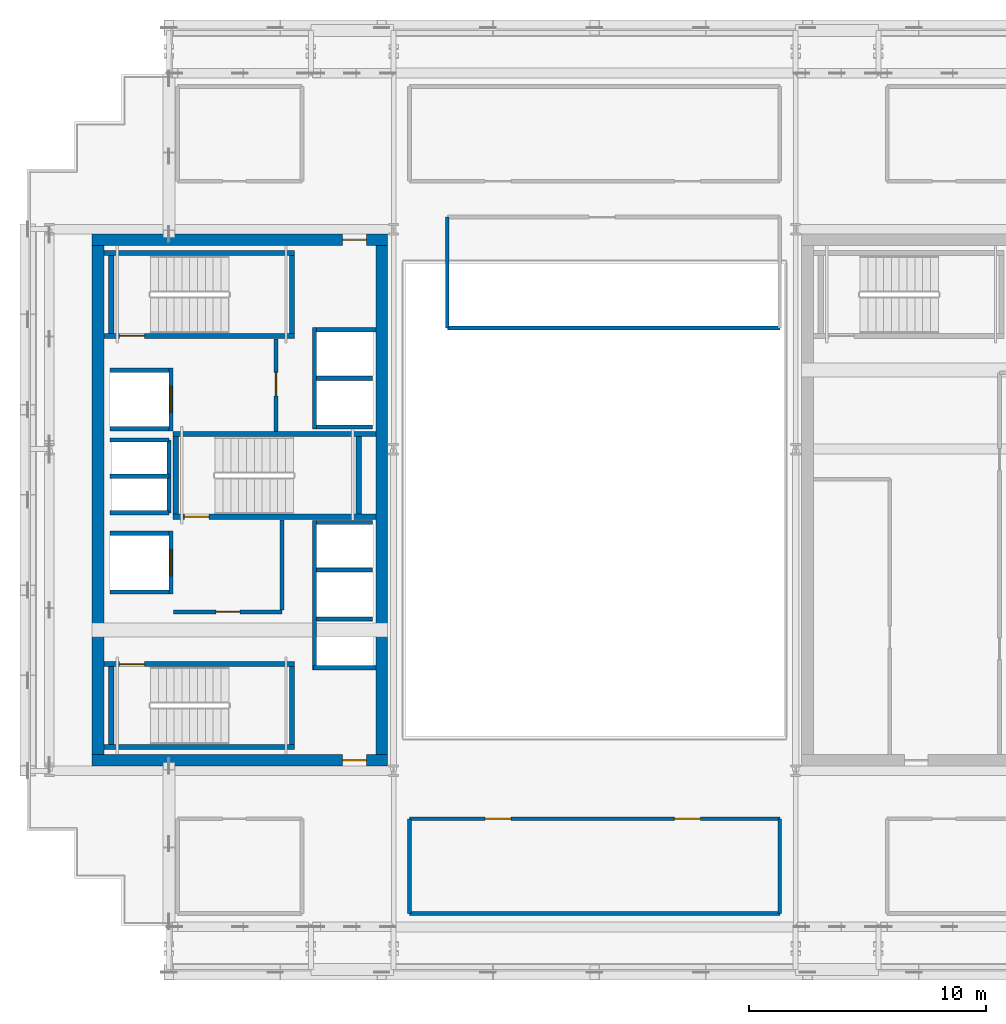
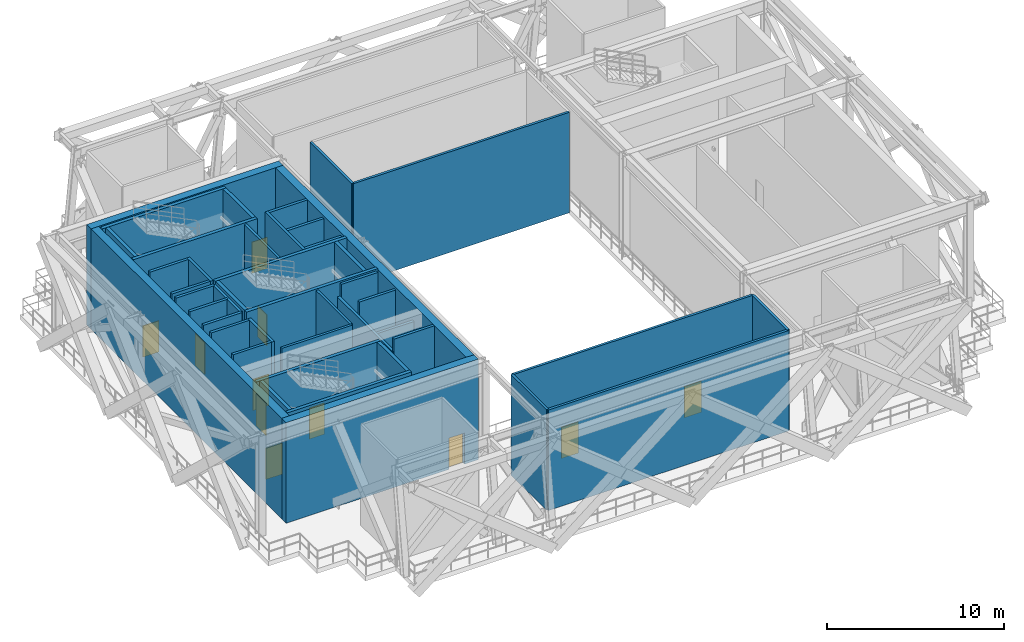
# One storey, part 6 of 13: 44 walls, 11 doors, 11 openings.
"""IFC4 building model written with IfcOpenShell, lengths in metres."""

from ifc_helpers import new_model, si_unit, direction, frame, frame_2d, origin, place, context, subcontext, project, spatial, rectangle, extrude, source, transform, mapped, material, layer, layer_set, type_object, element, fill, save


model = new_model("IFC4")

# Units and contexts
model_context = context("Model", 3, precision=1e-05, world=origin(), true_north=direction((0.0, 1.0)))
body_context = subcontext(model_context, "Body", "Model", "MODEL_VIEW")
ifc_project = project(units=[si_unit("LENGTHUNIT", "METRE"), si_unit("AREAUNIT", "SQUARE_METRE"), si_unit("VOLUMEUNIT", "CUBIC_METRE"), si_unit("PLANEANGLEUNIT", "RADIAN"), si_unit("MASSUNIT", "GRAM", prefix="KILO")], contexts=[model_context])

# Site, building, storey
site_placement = place(None, origin())
site = spatial("IfcSite", under=ifc_project, at=site_placement, CompositionType="ELEMENT")
building_placement = place(site_placement, origin())
building = spatial("IfcBuilding", under=site, at=building_placement, Name="Ocotamira Hotel", CompositionType="ELEMENT")
storey_placement = place(building_placement, frame((0.0, 0.0, 220.800048828125)))
storey = spatial("IfcBuildingStorey", under=building, at=storey_placement, Name="L56", CompositionType="ELEMENT", Elevation=220.800048828125)

# Wall, opening, door
ifc_material_1 = material(Name="Concrete C50/60", Category="concrete")
ifc_layer_1 = layer(ifc_material_1, 0.5)
ifc_layer_set_1 = layer_set([ifc_layer_1], Name="Concrete C50/60")
wall_type_1 = type_object("IfcWallType", Name="WL-CORE-500", PredefinedType="SHEAR", material=ifc_layer_set_1)
wall_1_placement = place(storey_placement, frame((10.75, 15.0, 0.0), z_axis=(0.0, 0.0, 1.0), x_axis=(1.0, 0.0, 0.0)))
wall_1 = element("IfcWall", 1, at=wall_1_placement, inside=storey, type_object=wall_type_1, Name="L56 Shear Core Wall WCORE-S", PredefinedType="SHEAR", context=body_context, shape_type="SweptSolid", body=[
    extrude(rectangle(XDim=12.5, YDim=0.5, at=frame_2d((6.25, 0.0))), origin(), (0.0, 0.0, 1.0), 6.919921875),
])
opening_1_placement = place(wall_1_placement, frame((10.60009765625, 0.0, 0.0)))
opening_1 = element("IfcOpeningElement", 2, at=opening_1_placement, cuts=wall_1, Name="Opening D-FR2", PredefinedType="OPENING", context=body_context, shape_type="SweptSolid", body=[
    extrude(rectangle(XDim=1.0, YDim=2.14990234375, at=frame_2d((0.5, 1.074951171875))), frame((0.0, 0.260009765625, 0.0), z_axis=(0.0, -1.0, 0.0), x_axis=(1.0, 0.0, 0.0)), (0.0, 0.0, 1.0), 0.52001953125),
])
ifc_material_2 = material(Name="Fire-rated acoustic timber-veneer door", Category="wood")
door_type_1 = type_object("IfcDoorType", Name="DR-FIRE-1000", OperationType="NOTDEFINED", PredefinedType="DOOR", material=ifc_material_2)
shared_shape_1 = source(origin(), body_context, "Body", "SweptSolid", [
    extrude(rectangle(XDim=1.0, YDim=2.14990234375, at=frame_2d((0.5, 1.074951171875))), frame((0.0, 0.02490234375, 0.0), z_axis=(0.0, -1.0, 0.0), x_axis=(1.0, 0.0, 0.0)), (0.0, 0.0, 1.0), 0.050048828125),
])
door_1_placement = place(opening_1_placement, origin())
door_1 = element("IfcDoor", 3, at=door_1_placement, inside=storey, type_object=door_type_1, Name="L56 Door ID-L56-WLOB-S-D [ID-L56-WLOB-S-D]", OperationType="SINGLE_SWING_LEFT", OverallHeight=2.14990234375, OverallWidth=1.0, PredefinedType="DOOR", context=body_context, shape_type="MappedRepresentation", body=[
    mapped(shared_shape_1, transform((0.0, 0.0, 0.0), scale=1.0)),
])
fill(opening_1, door_1)

wall_2_placement = place(storey_placement, frame((10.75, 37.0, 0.0), z_axis=(0.0, 0.0, 1.0), x_axis=(1.0, 0.0, 0.0)))
wall_2 = element("IfcWall", 4, at=wall_2_placement, inside=storey, type_object=wall_type_1, Name="L56 Shear Core Wall WCORE-N", PredefinedType="SHEAR", context=body_context, shape_type="SweptSolid", body=[
    extrude(rectangle(XDim=12.5, YDim=0.5, at=frame_2d((6.25, 0.0))), origin(), (0.0, 0.0, 1.0), 6.919921875),
])
opening_2_placement = place(wall_2_placement, frame((10.60009765625, 0.0, 0.0)))
opening_2 = element("IfcOpeningElement", 5, at=opening_2_placement, cuts=wall_2, Name="Opening D-FR2", PredefinedType="OPENING", context=body_context, shape_type="SweptSolid", body=[
    extrude(rectangle(XDim=1.0, YDim=2.14990234375, at=frame_2d((0.5, 1.074951171875))), frame((0.0, 0.260009765625, 0.0), z_axis=(0.0, -1.0, 0.0), x_axis=(1.0, 0.0, 0.0)), (0.0, 0.0, 1.0), 0.52001953125),
])
door_2_placement = place(opening_2_placement, origin())
door_2 = element("IfcDoor", 6, at=door_2_placement, inside=storey, type_object=door_type_1, Name="L56 Door ID-L56-WLOB-N-D [ID-L56-WLOB-N-D]", OperationType="SINGLE_SWING_RIGHT", OverallHeight=2.14990234375, OverallWidth=1.0, PredefinedType="DOOR", context=body_context, shape_type="MappedRepresentation", body=[
    mapped(shared_shape_1, transform((0.0, 0.0, 0.0), scale=1.0)),
])
fill(opening_2, door_2)

# Walls
for number, where, z_axis, x_axis, name in (
    (7, (11.0, 15.25, 0.0), (0.0, 0.0, 1.0), (0.0, 1.0, 0.0), "L56 Shear Core Wall WCORE-W"),
    (8, (23.0, 15.25, 0.0), (0.0, 0.0, 1.0), (0.0, 1.0, 0.0), "L56 Shear Core Wall WCORE-E"),
):
    element("IfcWall", number, at=place(storey_placement, frame(where, z_axis=z_axis, x_axis=x_axis)), inside=storey, type_object=wall_type_1, Name=name, PredefinedType="SHEAR", context=body_context, shape_type="SweptSolid", body=[
        extrude(rectangle(XDim=21.5, YDim=0.5, at=frame_2d((10.75, 0.0))), origin(), (0.0, 0.0, 1.0), 6.919921875),
    ])

# Wall, opening, door
ifc_material_3 = material(Name="Acoustic double-layer fire gypsum board partition", Category="gypsum")
ifc_layer_2 = layer(ifc_material_3, 0.159912109375)
ifc_layer_set_2 = layer_set([ifc_layer_2], Name="Acoustic double-layer fire gypsum board partition")
wall_type_2 = type_object("IfcWallType", Name="WL-FIRE-160", PredefinedType="PARTITIONING", material=ifc_layer_set_2)
wall_3_placement = place(storey_placement, frame((14.199951171875, 21.27001953125, 0.0), z_axis=(0.0, 0.0, 1.0), x_axis=(1.0, 0.0, 0.0)))
wall_3 = element("IfcWall", 9, at=wall_3_placement, inside=storey, type_object=wall_type_2, Name="L56 Interior Wall PW-L56-FSAE1-S", PredefinedType="PARTITIONING", context=body_context, shape_type="SweptSolid", body=[
    extrude(rectangle(XDim=4.580078125, YDim=0.159912109375, at=frame_2d((2.2900390625, 0.0))), origin(), (0.0, 0.0, 1.0), 6.919921875),
])
opening_3_placement = place(wall_3_placement, frame((1.800048828125, 0.0, 0.0)))
opening_3 = element("IfcOpeningElement", 10, at=opening_3_placement, cuts=wall_3, Name="Opening D-FR2", PredefinedType="OPENING", context=body_context, shape_type="SweptSolid", body=[
    extrude(rectangle(XDim=1.0, YDim=2.14990234375, at=frame_2d((0.5, 1.074951171875))), frame((0.0, 0.08984375, 0.0), z_axis=(0.0, -1.0, 0.0), x_axis=(1.0, 0.0, 0.0)), (0.0, 0.0, 1.0), 0.179931640625),
])
door_3_placement = place(opening_3_placement, origin())
door_3 = element("IfcDoor", 11, at=door_3_placement, inside=storey, type_object=door_type_1, Name="L56 Door ID-L56-FSAE1-D [ID-L56-FSAE1-D]", OperationType="SINGLE_SWING_LEFT", OverallHeight=2.14990234375, OverallWidth=1.0, PredefinedType="DOOR", context=body_context, shape_type="MappedRepresentation", body=[
    mapped(shared_shape_1, transform((0.0, 0.0, 0.0), scale=1.0)),
])
fill(opening_3, door_3)

# Wall
wall_4_placement = place(storey_placement, frame((18.780029296875, 21.35009765625, 0.0), z_axis=(0.0, 0.0, 1.0), x_axis=(0.0, 1.0, 0.0)))
element("IfcWall", 12, at=wall_4_placement, inside=storey, type_object=wall_type_2, Name="L56 Interior Wall PW-L56-FSAE1-E", PredefinedType="PARTITIONING", context=body_context, shape_type="SweptSolid", body=[
    extrude(rectangle(XDim=3.809814453125, YDim=0.159912109375, at=frame_2d((1.90478515625, 0.0))), origin(), (0.0, 0.0, 1.0), 6.919921875),
])

# Wall, opening, door
wall_5_placement = place(storey_placement, frame((18.530029296875, 28.89990234375, 0.0), z_axis=(0.0, 0.0, 1.0), x_axis=(0.0, 1.0, 0.0)))
wall_5 = element("IfcWall", 13, at=wall_5_placement, inside=storey, type_object=wall_type_2, Name="L56 Interior Wall PW-L56-FSAE2-E", PredefinedType="PARTITIONING", context=body_context, shape_type="SweptSolid", body=[
    extrude(rectangle(XDim=3.900146484375, YDim=0.159912109375, at=frame_2d((1.9501953125, 0.0))), origin(), (0.0, 0.0, 1.0), 6.919921875),
])
opening_4_placement = place(wall_5_placement, frame((1.5, 0.0, 0.0)))
opening_4 = element("IfcOpeningElement", 14, at=opening_4_placement, cuts=wall_5, Name="Opening D-FR2", PredefinedType="OPENING", context=body_context, shape_type="SweptSolid", body=[
    extrude(rectangle(XDim=1.0, YDim=2.14990234375, at=frame_2d((0.5, 1.074951171875))), frame((0.0, 0.08984375, 0.0), z_axis=(0.0, -1.0, 0.0), x_axis=(1.0, 0.0, 0.0)), (0.0, 0.0, 1.0), 0.179931640625),
])
door_4_placement = place(opening_4_placement, origin())
door_4 = element("IfcDoor", 15, at=door_4_placement, inside=storey, type_object=door_type_1, Name="L56 Door ID-L56-FSAE2-D [ID-L56-FSAE2-D]", OperationType="SINGLE_SWING_RIGHT", OverallHeight=2.14990234375, OverallWidth=1.0, PredefinedType="DOOR", context=body_context, shape_type="MappedRepresentation", body=[
    mapped(shared_shape_1, transform((0.0, 0.0, 0.0), scale=1.0)),
])
fill(opening_4, door_4)

# Wall, openings, doors
wall_6_placement = place(storey_placement, frame((24.169921875, 12.52001953125, 0.0), z_axis=(0.0, 0.0, 1.0), x_axis=(1.0, 0.0, 0.0)))
wall_6 = element("IfcWall", 16, at=wall_6_placement, inside=storey, type_object=wall_type_2, Name="L56 Interior Wall PW-L56-L56-REFE-N", PredefinedType="PARTITIONING", context=body_context, shape_type="SweptSolid", body=[
    extrude(rectangle(XDim=15.66015625, YDim=0.159912109375, at=frame_2d((7.830078125, 0.0))), origin(), (0.0, 0.0, 1.0), 6.919921875),
])
opening_5_placement = place(wall_6_placement, frame((3.199951171875, 0.0, 0.0)))
opening_5 = element("IfcOpeningElement", 17, at=opening_5_placement, cuts=wall_6, Name="Opening D-FR1", PredefinedType="OPENING", context=body_context, shape_type="SweptSolid", body=[
    extrude(rectangle(XDim=1.10009765625, YDim=2.14990234375, at=frame_2d((0.550048828125, 1.074951171875))), frame((0.0, 0.08984375, 0.0), z_axis=(0.0, -1.0, 0.0), x_axis=(1.0, 0.0, 0.0)), (0.0, 0.0, 1.0), 0.179931640625),
])
opening_6_placement = place(wall_6_placement, frame((11.199951171875, 0.0, 0.0)))
opening_6 = element("IfcOpeningElement", 18, at=opening_6_placement, cuts=wall_6, Name="Opening D-FR1", PredefinedType="OPENING", context=body_context, shape_type="SweptSolid", body=[
    extrude(rectangle(XDim=1.10009765625, YDim=2.14990234375, at=frame_2d((0.550048828125, 1.074951171875))), frame((0.0, 0.08984375, 0.0), z_axis=(0.0, -1.0, 0.0), x_axis=(1.0, 0.0, 0.0)), (0.0, 0.0, 1.0), 0.179931640625),
])
door_type_2 = type_object("IfcDoorType", Name="DR-FIRE-1100", OperationType="NOTDEFINED", PredefinedType="DOOR", material=ifc_material_2)
shared_shape_2 = source(origin(), body_context, "Body", "SweptSolid", [
    extrude(rectangle(XDim=1.10009765625, YDim=2.14990234375, at=frame_2d((0.550048828125, 1.074951171875))), frame((0.0, 0.02490234375, 0.0), z_axis=(0.0, -1.0, 0.0), x_axis=(1.0, 0.0, 0.0)), (0.0, 0.0, 1.0), 0.050048828125),
])
door_5_placement = place(opening_5_placement, origin())
door_5 = element("IfcDoor", 19, at=door_5_placement, inside=storey, type_object=door_type_2, Name="L56 Door ID-L56-L56-REFED1 [ID-L56-L56-REFED1]", OperationType="SINGLE_SWING_RIGHT", OverallHeight=2.14990234375, OverallWidth=1.10009765625, PredefinedType="DOOR", context=body_context, shape_type="MappedRepresentation", body=[
    mapped(shared_shape_2, transform((0.0, 0.0, 0.0), scale=1.0)),
])
fill(opening_5, door_5)
door_6_placement = place(opening_6_placement, origin())
door_6 = element("IfcDoor", 20, at=door_6_placement, inside=storey, type_object=door_type_2, Name="L56 Door ID-L56-L56-REFED2 [ID-L56-L56-REFED2]", OperationType="SINGLE_SWING_LEFT", OverallHeight=2.14990234375, OverallWidth=1.10009765625, PredefinedType="DOOR", context=body_context, shape_type="MappedRepresentation", body=[
    mapped(shared_shape_2, transform((0.0, 0.0, 0.0), scale=1.0)),
])
fill(opening_6, door_6)

# Walls
for number, where, z_axis, x_axis, name in (
    (21, (24.169921875, 8.52001953125, 0.0), (0.0, 0.0, 1.0), (0.0, 1.0, 0.0), "L56 Interior Wall PW-L56-L56-REFE-W"),
    (22, (39.830078125, 8.52001953125, 0.0), (0.0, 0.0, 1.0), (0.0, 1.0, 0.0), "L56 Interior Wall PW-L56-L56-REFE-E"),
):
    element("IfcWall", number, at=place(storey_placement, frame(where, z_axis=z_axis, x_axis=x_axis)), inside=storey, type_object=wall_type_2, Name=name, PredefinedType="PARTITIONING", context=body_context, shape_type="SweptSolid", body=[
        extrude(rectangle(XDim=4.0, YDim=0.159912109375, at=frame_2d((2.0, 0.0))), origin(), (0.0, 0.0, 1.0), 6.919921875),
    ])
wall_7_placement = place(storey_placement, frame((24.169921875, 8.52001953125, 0.0), z_axis=(0.0, 0.0, 1.0), x_axis=(1.0, 0.0, 0.0)))
element("IfcWall", 23, at=wall_7_placement, inside=storey, type_object=wall_type_2, Name="L56 Interior Wall PW-L56-L56-REFE-S", PredefinedType="PARTITIONING", context=body_context, shape_type="SweptSolid", body=[
    extrude(rectangle(XDim=15.66015625, YDim=0.159912109375, at=frame_2d((7.830078125, 0.0))), origin(), (0.0, 0.0, 1.0), 6.919921875),
])
wall_8_placement = place(storey_placement, frame((25.77001953125, 33.27001953125, 0.0), z_axis=(0.0, 0.0, 1.0), x_axis=(1.0, 0.0, 0.0)))
element("IfcWall", 24, at=wall_8_placement, inside=storey, type_object=wall_type_2, Name="L56 Interior Wall PW-L56-L56-REFC-S", PredefinedType="PARTITIONING", context=body_context, shape_type="SweptSolid", body=[
    extrude(rectangle(XDim=14.06005859375, YDim=0.159912109375, at=frame_2d((7.030029296875, 0.0))), origin(), (0.0, 0.0, 1.0), 6.919921875),
])
wall_9_placement = place(storey_placement, frame((25.77001953125, 33.27001953125, 0.0), z_axis=(0.0, 0.0, 1.0), x_axis=(0.0, 1.0, 0.0)))
element("IfcWall", 25, at=wall_9_placement, inside=storey, type_object=wall_type_2, Name="L56 Interior Wall PW-L56-L56-REFC-W", PredefinedType="PARTITIONING", context=body_context, shape_type="SweptSolid", body=[
    extrude(rectangle(XDim=4.68994140625, YDim=0.159912109375, at=frame_2d((2.344970703125, 0.0))), origin(), (0.0, 0.0, 1.0), 6.919921875),
])
ifc_material_4 = material(Name="Fire-rated gypsum shaftliner board assembly", Category="gypsum")
ifc_layer_3 = layer(ifc_material_4, 0.179931640625)
ifc_layer_set_3 = layer_set([ifc_layer_3], Name="Fire-rated gypsum shaftliner board assembly")
wall_type_3 = type_object("IfcWallType", Name="WL-SHAFT-180", PredefinedType="SOLIDWALL", material=ifc_layer_set_3)
wall_10_placement = place(storey_placement, frame((20.159912109375, 18.820068359375, 0.0), z_axis=(0.0, 0.0, 1.0), x_axis=(0.0, 1.0, 0.0)))
element("IfcWall", 26, at=wall_10_placement, inside=storey, type_object=wall_type_3, Name="L56 Interior Wall PW-L56-LFW-BANK-high-F", PredefinedType="SOLIDWALL", context=body_context, shape_type="SweptSolid", body=[
    extrude(rectangle(XDim=6.31982421875, YDim=0.179931640625, at=frame_2d((3.159912109375, 0.0))), origin(), (0.0, 0.0, 1.0), 6.02001953125),
])
wall_11_placement = place(storey_placement, frame((20.1201171875, 18.909912109375, 0.0), z_axis=(0.0, 0.0, 1.0), x_axis=(1.0, 0.0, 0.0)))
element("IfcWall", 27, at=wall_11_placement, inside=storey, type_object=wall_type_3, Name="L56 Interior Wall PW-L56-LFW-BANK-high-S", PredefinedType="SOLIDWALL", context=body_context, shape_type="SweptSolid", body=[
    extrude(rectangle(XDim=2.6298828125, YDim=0.179931640625, at=frame_2d((1.31494140625, 0.0))), origin(), (0.0, 0.0, 1.0), 6.919921875),
])
wall_12_placement = place(storey_placement, frame((20.25, 25.050048828125, 0.0), z_axis=(0.0, 0.0, 1.0), x_axis=(1.0, 0.0, 0.0)))
element("IfcWall", 28, at=wall_12_placement, inside=storey, type_object=wall_type_3, Name="L56 Interior Wall PW-L56-LFW-BANK-high-N", PredefinedType="SOLIDWALL", context=body_context, shape_type="SweptSolid", body=[
    extrude(rectangle(XDim=2.360107421875, YDim=0.179931640625, at=frame_2d((1.18017578125, 0.0))), origin(), (0.0, 0.0, 1.0), 6.919921875),
])
wall_13_placement = place(storey_placement, frame((20.25, 20.965087890625, 0.0), z_axis=(0.0, 0.0, 1.0), x_axis=(1.0, 0.0, 0.0)))
element("IfcWall", 29, at=wall_13_placement, inside=storey, type_object=wall_type_3, Name="L56 Interior Wall PW-L56-LFW-DIV-LF-P7", PredefinedType="SOLIDWALL", context=body_context, shape_type="SweptSolid", body=[
    extrude(rectangle(XDim=2.360107421875, YDim=0.179931640625, at=frame_2d((1.18017578125, 0.0))), origin(), (0.0, 0.0, 1.0), 6.02001953125),
])
wall_14_placement = place(storey_placement, frame((20.25, 23.044921875, 0.0), z_axis=(0.0, 0.0, 1.0), x_axis=(1.0, 0.0, 0.0)))
element("IfcWall", 30, at=wall_14_placement, inside=storey, type_object=wall_type_3, Name="L56 Interior Wall PW-L56-LFW-DIV-LF-P8", PredefinedType="SOLIDWALL", context=body_context, shape_type="SweptSolid", body=[
    extrude(rectangle(XDim=2.360107421875, YDim=0.179931640625, at=frame_2d((1.18017578125, 0.0))), origin(), (0.0, 0.0, 1.0), 6.919921875),
])
wall_15_placement = place(storey_placement, frame((20.159912109375, 29.0, 0.0), z_axis=(0.0, 0.0, 1.0), x_axis=(0.0, 1.0, 0.0)))
element("IfcWall", 31, at=wall_15_placement, inside=storey, type_object=wall_type_3, Name="L56 Interior Wall PW-L56-LFW-BANK-obs-F", PredefinedType="SOLIDWALL", context=body_context, shape_type="SweptSolid", body=[
    extrude(rectangle(XDim=4.2900390625, YDim=0.179931640625, at=frame_2d((2.14501953125, 0.0))), origin(), (0.0, 0.0, 1.0), 6.919921875),
])
wall_16_placement = place(storey_placement, frame((20.25, 29.090087890625, 0.0), z_axis=(0.0, 0.0, 1.0), x_axis=(1.0, 0.0, 0.0)))
element("IfcWall", 32, at=wall_16_placement, inside=storey, type_object=wall_type_3, Name="L56 Interior Wall PW-L56-LFW-BANK-obs-S", PredefinedType="SOLIDWALL", context=body_context, shape_type="SweptSolid", body=[
    extrude(rectangle(XDim=2.360107421875, YDim=0.179931640625, at=frame_2d((1.18017578125, 0.0))), origin(), (0.0, 0.0, 1.0), 6.919921875),
])
wall_17_placement = place(storey_placement, frame((20.25, 33.199951171875, 0.0), z_axis=(0.0, 0.0, 1.0), x_axis=(1.0, 0.0, 0.0)))
element("IfcWall", 33, at=wall_17_placement, inside=storey, type_object=wall_type_3, Name="L56 Interior Wall PW-L56-LFW-BANK-obs-N", PredefinedType="SOLIDWALL", context=body_context, shape_type="SweptSolid", body=[
    extrude(rectangle(XDim=2.5, YDim=0.179931640625, at=frame_2d((1.25, 0.0))), origin(), (0.0, 0.0, 1.0), 6.919921875),
])
wall_18_placement = place(storey_placement, frame((20.25, 31.14501953125, 0.0), z_axis=(0.0, 0.0, 1.0), x_axis=(1.0, 0.0, 0.0)))
element("IfcWall", 34, at=wall_18_placement, inside=storey, type_object=wall_type_3, Name="L56 Interior Wall PW-L56-LFW-DIV-LF-OBS1", PredefinedType="SOLIDWALL", context=body_context, shape_type="SweptSolid", body=[
    extrude(rectangle(XDim=2.360107421875, YDim=0.179931640625, at=frame_2d((1.18017578125, 0.0))), origin(), (0.0, 0.0, 1.0), 6.919921875),
])
for number, where, z_axis, x_axis, name in (
    (35, (11.5, 22.110107421875, 0.0), (0.0, 0.0, 1.0), (1.0, 0.0, 0.0), "L56 Interior Wall PW-L56-LFW-LF-FSAE1-S"),
    (36, (11.5, 24.590087890625, 0.0), (0.0, 0.0, 1.0), (1.0, 0.0, 0.0), "L56 Interior Wall PW-L56-LFW-LF-FSAE1-N"),
):
    element("IfcWall", number, at=place(storey_placement, frame(where, z_axis=z_axis, x_axis=x_axis)), inside=storey, type_object=wall_type_3, Name=name, PredefinedType="SOLIDWALL", context=body_context, shape_type="SweptSolid", body=[
        extrude(rectangle(XDim=2.5, YDim=0.179931640625, at=frame_2d((1.25, 0.0))), origin(), (0.0, 0.0, 1.0), 6.919921875),
    ])

# Wall, opening, door
wall_19_placement = place(storey_placement, frame((14.090087890625, 22.02001953125, 0.0), z_axis=(0.0, 0.0, 1.0), x_axis=(0.0, 1.0, 0.0)))
wall_19 = element("IfcWall", 37, at=wall_19_placement, inside=storey, type_object=wall_type_3, Name="L56 Interior Wall PW-L56-LFW-LF-FSAE1-E", PredefinedType="SOLIDWALL", context=body_context, shape_type="SweptSolid", body=[
    extrude(rectangle(XDim=2.659912109375, YDim=0.179931640625, at=frame_2d((1.330078125, 0.0))), origin(), (0.0, 0.0, 1.0), 6.919921875),
])
opening_7_placement = place(wall_19_placement, frame((0.780029296875, 0.0, 0.0)))
opening_7 = element("IfcOpeningElement", 38, at=opening_7_placement, cuts=wall_19, Name="Opening LD-LF-FSAE1", PredefinedType="OPENING", context=body_context, shape_type="SweptSolid", body=[
    extrude(rectangle(XDim=1.10009765625, YDim=2.199951171875, at=frame_2d((0.550048828125, 1.10009765625))), frame((0.0, 0.10009765625, 0.0), z_axis=(0.0, -1.0, 0.0), x_axis=(1.0, 0.0, 0.0)), (0.0, 0.0, 1.0), 0.199951171875),
])
ifc_material_5 = material(Name="Brushed pale-metal stainless elevator landing door", Category="steel")
door_type_3 = type_object("IfcDoorType", Name="DR-LIFT-1100", OperationType="NOTDEFINED", PredefinedType="DOOR", material=ifc_material_5)
shared_shape_3 = source(origin(), body_context, "Body", "SweptSolid", [
    extrude(rectangle(XDim=1.10009765625, YDim=2.199951171875, at=frame_2d((0.550048828125, 1.10009765625))), frame((0.0, 0.02490234375, 0.0), z_axis=(0.0, -1.0, 0.0), x_axis=(1.0, 0.0, 0.0)), (0.0, 0.0, 1.0), 0.050048828125),
])
door_7_placement = place(opening_7_placement, origin())
door_7 = element("IfcDoor", 39, at=door_7_placement, inside=storey, type_object=door_type_3, Name="L56 Landing Door LD-LF-FSAE1 [ID-L56-LD-LF-FSAE1]", OperationType="DOUBLE_DOOR_SLIDING", OverallHeight=2.199951171875, OverallWidth=1.10009765625, PredefinedType="DOOR", context=body_context, shape_type="MappedRepresentation", body=[
    mapped(shared_shape_3, transform((0.0, 0.0, 0.0), scale=1.0)),
])
fill(opening_7, door_7)

# Walls
for number, where, z_axis, x_axis, name in (
    (40, (11.5, 29.010009765625, 0.0), (0.0, 0.0, 1.0), (1.0, 0.0, 0.0), "L56 Interior Wall PW-L56-LFW-LF-FSAE2-S"),
    (41, (11.5, 31.489990234375, 0.0), (0.0, 0.0, 1.0), (1.0, 0.0, 0.0), "L56 Interior Wall PW-L56-LFW-LF-FSAE2-N"),
):
    element("IfcWall", number, at=place(storey_placement, frame(where, z_axis=z_axis, x_axis=x_axis)), inside=storey, type_object=wall_type_3, Name=name, PredefinedType="SOLIDWALL", context=body_context, shape_type="SweptSolid", body=[
        extrude(rectangle(XDim=2.5, YDim=0.179931640625, at=frame_2d((1.25, 0.0))), origin(), (0.0, 0.0, 1.0), 6.919921875),
    ])

# Wall, opening, door
wall_20_placement = place(storey_placement, frame((14.090087890625, 28.919921875, 0.0), z_axis=(0.0, 0.0, 1.0), x_axis=(0.0, 1.0, 0.0)))
wall_20 = element("IfcWall", 42, at=wall_20_placement, inside=storey, type_object=wall_type_3, Name="L56 Interior Wall PW-L56-LFW-LF-FSAE2-E", PredefinedType="SOLIDWALL", context=body_context, shape_type="SweptSolid", body=[
    extrude(rectangle(XDim=2.66015625, YDim=0.179931640625, at=frame_2d((1.330078125, 0.0))), origin(), (0.0, 0.0, 1.0), 6.919921875),
])
opening_8_placement = place(wall_20_placement, frame((0.780029296875, 0.0, 0.0)))
opening_8 = element("IfcOpeningElement", 43, at=opening_8_placement, cuts=wall_20, Name="Opening LD-LF-FSAE2", PredefinedType="OPENING", context=body_context, shape_type="SweptSolid", body=[
    extrude(rectangle(XDim=1.10009765625, YDim=2.199951171875, at=frame_2d((0.550048828125, 1.10009765625))), frame((0.0, 0.10009765625, 0.0), z_axis=(0.0, -1.0, 0.0), x_axis=(1.0, 0.0, 0.0)), (0.0, 0.0, 1.0), 0.199951171875),
])
door_8_placement = place(opening_8_placement, origin())
door_8 = element("IfcDoor", 44, at=door_8_placement, inside=storey, type_object=door_type_3, Name="L56 Landing Door LD-LF-FSAE2 [ID-L56-LD-LF-FSAE2]", OperationType="DOUBLE_DOOR_SLIDING", OverallHeight=2.199951171875, OverallWidth=1.10009765625, PredefinedType="DOOR", context=body_context, shape_type="MappedRepresentation", body=[
    mapped(shared_shape_3, transform((0.0, 0.0, 0.0), scale=1.0)),
])
fill(opening_8, door_8)

# Walls
for number, where, z_axis, x_axis, name in (
    (45, (11.5, 25.4599609375, 0.0), (0.0, 0.0, 1.0), (1.0, 0.0, 0.0), "L56 Interior Wall PW-L56-RSW-S"),
    (46, (11.5, 27.0, 0.0), (0.0, 0.0, 1.0), (1.0, 0.0, 0.0), "L56 Interior Wall PW-L56-RSW-MID"),
    (47, (11.5, 28.5400390625, 0.0), (0.0, 0.0, 1.0), (1.0, 0.0, 0.0), "L56 Interior Wall PW-L56-RSW-N"),
):
    element("IfcWall", number, at=place(storey_placement, frame(where, z_axis=z_axis, x_axis=x_axis)), inside=storey, type_object=wall_type_3, Name=name, PredefinedType="SOLIDWALL", context=body_context, shape_type="SweptSolid", body=[
        extrude(rectangle(XDim=2.510009765625, YDim=0.179931640625, at=frame_2d((1.2548828125, 0.0))), origin(), (0.0, 0.0, 1.0), 6.919921875),
    ])
wall_21_placement = place(storey_placement, frame((14.010009765625, 25.4599609375, 0.0), z_axis=(0.0, 0.0, 1.0), x_axis=(0.0, 1.0, 0.0)))
element("IfcWall", 48, at=wall_21_placement, inside=storey, type_object=wall_type_3, Name="L56 Interior Wall PW-L56-RSW-E", PredefinedType="SOLIDWALL", context=body_context, shape_type="SweptSolid", body=[
    extrude(rectangle(XDim=3.080078125, YDim=0.179931640625, at=frame_2d((1.5400390625, 0.0))), origin(), (0.0, 0.0, 1.0), 6.919921875),
])
ifc_layer_4 = layer(ifc_material_1, 0.219970703125)
ifc_layer_set_4 = layer_set([ifc_layer_4], Name="Concrete C50/60")
wall_type_4 = type_object("IfcWallType", Name="WL-STAIR-220", PredefinedType="SHEAR", material=ifc_layer_set_4)
wall_22_placement = place(storey_placement, frame((11.25, 15.56005859375, 0.0), z_axis=(0.0, 0.0, 1.0), x_axis=(1.0, 0.0, 0.0)))
element("IfcWall", 49, at=wall_22_placement, inside=storey, type_object=wall_type_4, Name="L56 Stair Shaft Structural Wall ST-1-S", PredefinedType="SHEAR", context=body_context, shape_type="SweptSolid", body=[
    extrude(rectangle(XDim=8.06005859375, YDim=0.219970703125, at=frame_2d((4.030029296875, 0.0))), origin(), (0.0, 0.0, 1.0), 7.0),
])

# Wall, opening, door
wall_23_placement = place(storey_placement, frame((11.25, 19.06005859375, 0.0), z_axis=(0.0, 0.0, 1.0), x_axis=(1.0, 0.0, 0.0)))
wall_23 = element("IfcWall", 50, at=wall_23_placement, inside=storey, type_object=wall_type_4, Name="L56 Stair Shaft Structural Wall ST-1-N", PredefinedType="SHEAR", context=body_context, shape_type="SweptSolid", body=[
    extrude(rectangle(XDim=8.06005859375, YDim=0.219970703125, at=frame_2d((4.030029296875, 0.0))), origin(), (0.0, 0.0, 1.0), 7.0),
])
opening_9_placement = place(wall_23_placement, frame((0.669921875, 0.0, 0.0)))
opening_9 = element("IfcOpeningElement", 51, at=opening_9_placement, cuts=wall_23, Name="Opening D-ST2", PredefinedType="OPENING", context=body_context, shape_type="SweptSolid", body=[
    extrude(rectangle(XDim=1.050048828125, YDim=2.14990234375, at=frame_2d((0.52490234375, 1.074951171875))), frame((0.0, 0.1201171875, 0.0), z_axis=(0.0, -1.0, 0.0), x_axis=(1.0, 0.0, 0.0)), (0.0, 0.0, 1.0), 0.239990234375),
])
ifc_material_6 = material(Name="Insulated painted hollow-metal fire exit door", Category="steel")
door_type_4 = type_object("IfcDoorType", Name="DR-STAIR-1050", OperationType="NOTDEFINED", PredefinedType="DOOR", material=ifc_material_6)
shared_shape_4 = source(origin(), body_context, "Body", "SweptSolid", [
    extrude(rectangle(XDim=1.050048828125, YDim=2.14990234375, at=frame_2d((0.52490234375, 1.074951171875))), frame((0.0, 0.02490234375, 0.0), z_axis=(0.0, -1.0, 0.0), x_axis=(1.0, 0.0, 0.0)), (0.0, 0.0, 1.0), 0.050048828125),
])
door_9_placement = place(opening_9_placement, origin())
door_9 = element("IfcDoor", 52, at=door_9_placement, inside=storey, type_object=door_type_4, Name="L56 Door ID-L56-STD-ST-1 [ID-L56-STD-ST-1]", OperationType="SINGLE_SWING_LEFT", OverallHeight=2.14990234375, OverallWidth=1.050048828125, PredefinedType="DOOR", context=body_context, shape_type="MappedRepresentation", body=[
    mapped(shared_shape_4, transform((0.0, 0.0, 0.0), scale=1.0)),
])
fill(opening_9, door_9)

# Walls
for number, where, z_axis, x_axis, name in (
    (53, (11.56005859375, 15.669921875, 0.0), (0.0, 0.0, 1.0), (0.0, 1.0, 0.0), "L56 Stair Shaft Structural Wall ST-1-W"),
    (54, (19.199951171875, 15.669921875, 0.0), (0.0, 0.0, 1.0), (0.0, 1.0, 0.0), "L56 Stair Shaft Structural Wall ST-1-E"),
):
    element("IfcWall", number, at=place(storey_placement, frame(where, z_axis=z_axis, x_axis=x_axis)), inside=storey, type_object=wall_type_4, Name=name, PredefinedType="SHEAR", context=body_context, shape_type="SweptSolid", body=[
        extrude(rectangle(XDim=3.280029296875, YDim=0.219970703125, at=frame_2d((1.64013671875, 0.0))), origin(), (0.0, 0.0, 1.0), 7.0),
    ])

# Wall, opening, door
wall_24_placement = place(storey_placement, frame((11.25, 32.93994140625, 0.0), z_axis=(0.0, 0.0, 1.0), x_axis=(1.0, 0.0, 0.0)))
wall_24 = element("IfcWall", 55, at=wall_24_placement, inside=storey, type_object=wall_type_4, Name="L56 Stair Shaft Structural Wall ST-2-S", PredefinedType="SHEAR", context=body_context, shape_type="SweptSolid", body=[
    extrude(rectangle(XDim=8.06005859375, YDim=0.219970703125, at=frame_2d((4.030029296875, 0.0))), origin(), (0.0, 0.0, 1.0), 7.0),
])
opening_10_placement = place(wall_24_placement, frame((0.669921875, 0.0, 0.0)))
opening_10 = element("IfcOpeningElement", 56, at=opening_10_placement, cuts=wall_24, Name="Opening D-ST2", PredefinedType="OPENING", context=body_context, shape_type="SweptSolid", body=[
    extrude(rectangle(XDim=1.050048828125, YDim=2.14990234375, at=frame_2d((0.52490234375, 1.074951171875))), frame((0.0, 0.1201171875, 0.0), z_axis=(0.0, -1.0, 0.0), x_axis=(1.0, 0.0, 0.0)), (0.0, 0.0, 1.0), 0.239990234375),
])
door_10_placement = place(opening_10_placement, origin())
door_10 = element("IfcDoor", 57, at=door_10_placement, inside=storey, type_object=door_type_4, Name="L56 Door ID-L56-STD-ST-2 [ID-L56-STD-ST-2]", OperationType="SINGLE_SWING_RIGHT", OverallHeight=2.14990234375, OverallWidth=1.050048828125, PredefinedType="DOOR", context=body_context, shape_type="MappedRepresentation", body=[
    mapped(shared_shape_4, transform((0.0, 0.0, 0.0), scale=1.0)),
])
fill(opening_10, door_10)

# Walls
wall_25_placement = place(storey_placement, frame((11.25, 36.43994140625, 0.0), z_axis=(0.0, 0.0, 1.0), x_axis=(1.0, 0.0, 0.0)))
element("IfcWall", 58, at=wall_25_placement, inside=storey, type_object=wall_type_4, Name="L56 Stair Shaft Structural Wall ST-2-N", PredefinedType="SHEAR", context=body_context, shape_type="SweptSolid", body=[
    extrude(rectangle(XDim=8.06005859375, YDim=0.219970703125, at=frame_2d((4.030029296875, 0.0))), origin(), (0.0, 0.0, 1.0), 7.0),
])
for number, where, z_axis, x_axis, name in (
    (59, (11.56005859375, 33.050048828125, 0.0), (0.0, 0.0, 1.0), (0.0, 1.0, 0.0), "L56 Stair Shaft Structural Wall ST-2-W"),
    (60, (19.199951171875, 33.050048828125, 0.0), (0.0, 0.0, 1.0), (0.0, 1.0, 0.0), "L56 Stair Shaft Structural Wall ST-2-E"),
):
    element("IfcWall", number, at=place(storey_placement, frame(where, z_axis=z_axis, x_axis=x_axis)), inside=storey, type_object=wall_type_4, Name=name, PredefinedType="SHEAR", context=body_context, shape_type="SweptSolid", body=[
        extrude(rectangle(XDim=3.280029296875, YDim=0.219970703125, at=frame_2d((1.64013671875, 0.0))), origin(), (0.0, 0.0, 1.0), 7.0),
    ])

# Wall, opening, door
wall_26_placement = place(storey_placement, frame((14.179931640625, 25.2900390625, 0.0), z_axis=(0.0, 0.0, 1.0), x_axis=(1.0, 0.0, 0.0)))
wall_26 = element("IfcWall", 61, at=wall_26_placement, inside=storey, type_object=wall_type_4, Name="L56 Stair Shaft Structural Wall ST-3-S", PredefinedType="SHEAR", context=body_context, shape_type="SweptSolid", body=[
    extrude(rectangle(XDim=8.570068359375, YDim=0.219970703125, at=frame_2d((4.28515625, 0.0))), origin(), (0.0, 0.0, 1.0), 7.0),
])
opening_11_placement = place(wall_26_placement, frame((0.469970703125, 0.0, 0.0)))
opening_11 = element("IfcOpeningElement", 62, at=opening_11_placement, cuts=wall_26, Name="Opening D-ST2", PredefinedType="OPENING", context=body_context, shape_type="SweptSolid", body=[
    extrude(rectangle(XDim=1.050048828125, YDim=2.14990234375, at=frame_2d((0.52490234375, 1.074951171875))), frame((0.0, 0.1201171875, 0.0), z_axis=(0.0, -1.0, 0.0), x_axis=(1.0, 0.0, 0.0)), (0.0, 0.0, 1.0), 0.239990234375),
])
door_11_placement = place(opening_11_placement, origin())
door_11 = element("IfcDoor", 63, at=door_11_placement, inside=storey, type_object=door_type_4, Name="L56 Door ID-L56-STD-ST-3 [ID-L56-STD-ST-3]", OperationType="SINGLE_SWING_LEFT", OverallHeight=2.14990234375, OverallWidth=1.050048828125, PredefinedType="DOOR", context=body_context, shape_type="MappedRepresentation", body=[
    mapped(shared_shape_4, transform((0.0, 0.0, 0.0), scale=1.0)),
])
fill(opening_11, door_11)

# Walls
wall_27_placement = place(storey_placement, frame((14.179931640625, 28.7900390625, 0.0), z_axis=(0.0, 0.0, 1.0), x_axis=(1.0, 0.0, 0.0)))
element("IfcWall", 64, at=wall_27_placement, inside=storey, type_object=wall_type_4, Name="L56 Stair Shaft Structural Wall ST-3-N", PredefinedType="SHEAR", context=body_context, shape_type="SweptSolid", body=[
    extrude(rectangle(XDim=8.570068359375, YDim=0.219970703125, at=frame_2d((4.28515625, 0.0))), origin(), (0.0, 0.0, 1.0), 7.0),
])
for number, where, z_axis, x_axis, name in (
    (65, (14.2900390625, 25.39990234375, 0.0), (0.0, 0.0, 1.0), (0.0, 1.0, 0.0), "L56 Stair Shaft Structural Wall ST-3-W"),
    (66, (22.030029296875, 25.39990234375, 0.0), (0.0, 0.0, 1.0), (0.0, 1.0, 0.0), "L56 Stair Shaft Structural Wall ST-3-E"),
):
    element("IfcWall", number, at=place(storey_placement, frame(where, z_axis=z_axis, x_axis=x_axis)), inside=storey, type_object=wall_type_4, Name=name, PredefinedType="SHEAR", context=body_context, shape_type="SweptSolid", body=[
        extrude(rectangle(XDim=3.280029296875, YDim=0.219970703125, at=frame_2d((1.64013671875, 0.0))), origin(), (0.0, 0.0, 1.0), 7.0),
    ])

save(model, "model.ifc")
